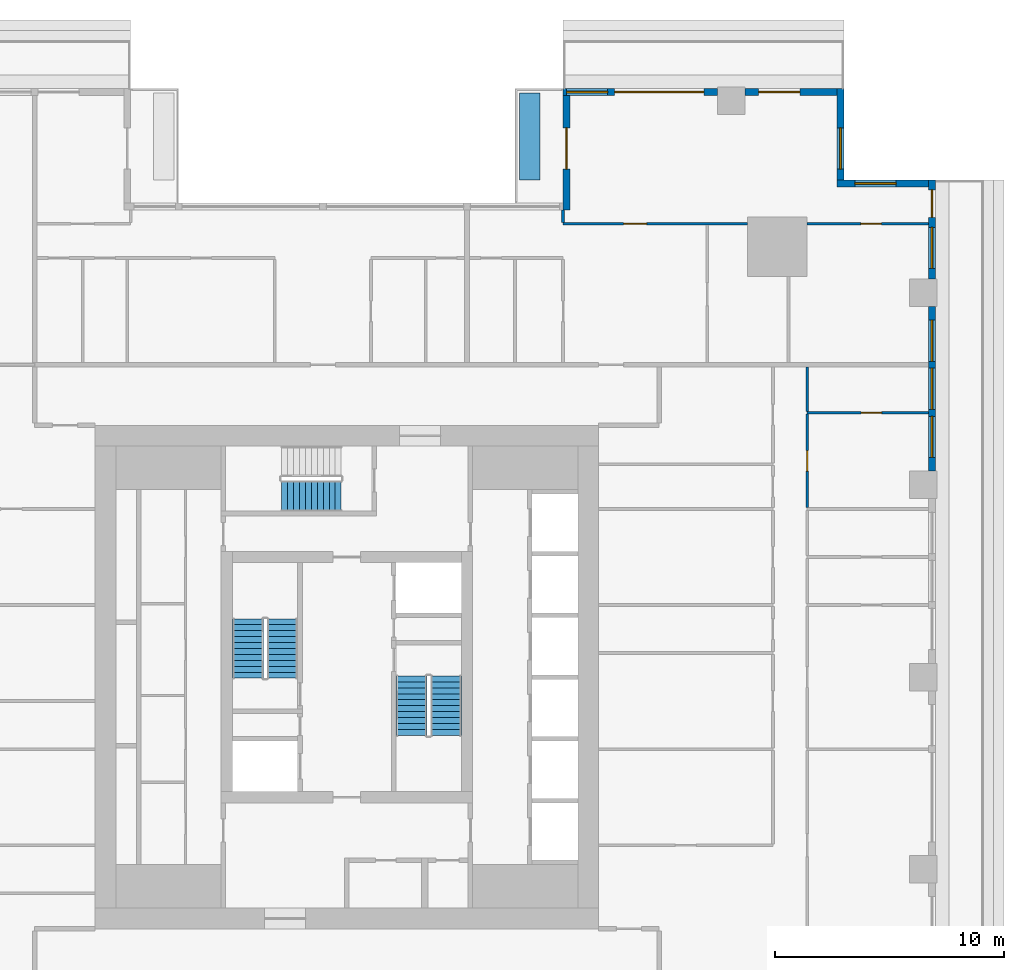
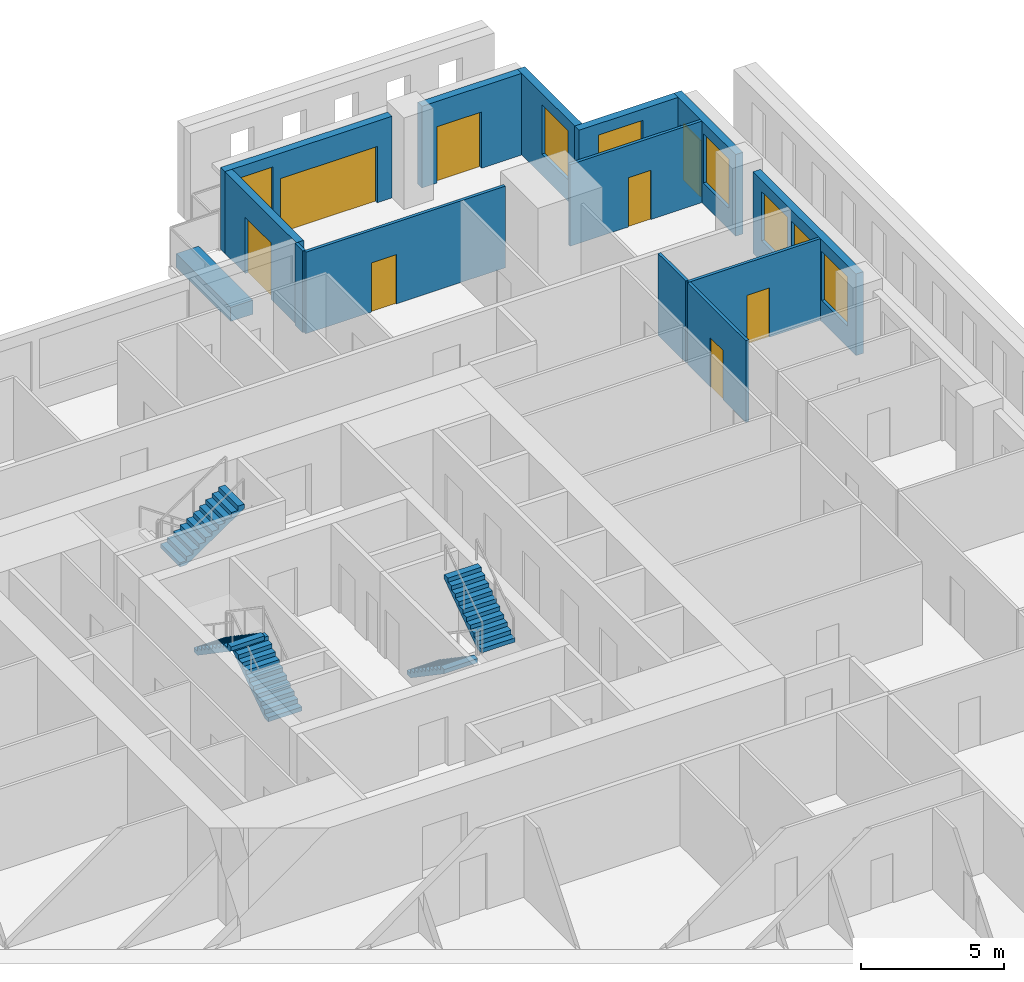
# One storey, part 9 of 16: 14 walls, 8 doors, 7 windows, 5 stair flights, 15 openings, 3 elements without a shape of their own.
"""IFC4 building model written with IfcOpenShell, lengths in metres."""

from ifc_helpers import new_model, si_unit, direction, frame, frame_2d, origin, place, context, subcontext, project, spatial, polyline, rectangle, outline, extrude, material, layer, layer_set, type_object, element, fill, aggregate, save


model = new_model("IFC4")

# Units and contexts
model_context = context("Model", 3, precision=1e-05, world=origin(), true_north=direction((0.0, 1.0)))
body_context = subcontext(model_context, "Body", "Model", "MODEL_VIEW")
ifc_project = project(units=[si_unit("LENGTHUNIT", "METRE"), si_unit("AREAUNIT", "SQUARE_METRE"), si_unit("VOLUMEUNIT", "CUBIC_METRE"), si_unit("PLANEANGLEUNIT", "RADIAN"), si_unit("MASSUNIT", "GRAM", prefix="KILO")], contexts=[model_context])

# Site, building, storey
site_placement = place(None, origin())
site = spatial("IfcSite", under=ifc_project, at=site_placement, CompositionType="ELEMENT")
building_placement = place(site_placement, origin())
building = spatial("IfcBuilding", under=site, at=building_placement, Name="Khepri Terraces", CompositionType="ELEMENT")
storey_placement = place(building_placement, frame((0.0, 0.0, 157.199951171875)))
storey = spatial("IfcBuildingStorey", under=building, at=storey_placement, Name="L37", CompositionType="ELEMENT", Elevation=157.199951171875)

# Wall, openings, windows
ifc_material_1 = material(Name="Precast concrete C50/60 warm stone", Category="masonry")
ifc_layer_1 = layer(ifc_material_1, 0.300048828125, Name="Precast concrete C50/60 warm stone", Category="masonry")
ifc_layer_set_1 = layer_set([ifc_layer_1], Name="Precast concrete C50/60 warm stone")
wall_type_1 = type_object("IfcWallType", Name="WL-EXT-PRECAST-300", PredefinedType="STANDARD", material=ifc_layer_set_1)
wall_1_placement = place(storey_placement, frame((25.570068359375, 9.0, 0.0), z_axis=(0.0, 0.0, 1.0), x_axis=(0.0, 1.0, 0.0)))
wall_1 = element("IfcWall", 1, at=wall_1_placement, inside=storey, type_object=wall_type_1, Name="External wall L37 E", PredefinedType="STANDARD", context=body_context, shape_type="SweptSolid", body=[
    extrude(rectangle(XDim=7.199951171875, YDim=0.300048828125, at=frame_2d((3.60009765625, 0.0))), origin(), (0.0, 0.0, 1.0), 3.47998046875),
])
opening_1_placement = place(wall_1_placement, frame((0.60009765625, 0.0, 0.89990234375)))
opening_1 = element("IfcOpeningElement", 2, at=opening_1_placement, cuts=wall_1, Name="Opening W1", PredefinedType="OPENING", context=body_context, shape_type="SweptSolid", body=[
    extrude(rectangle(XDim=1.800048828125, YDim=2.10009765625, at=frame_2d((0.89990234375, 1.050048828125))), frame((0.0, 0.16015625, 0.0), z_axis=(0.0, -1.0, 0.0), x_axis=(1.0, 0.0, 0.0)), (0.0, 0.0, 1.0), 0.320068359375),
])
opening_2_placement = place(wall_1_placement, frame((2.699951171875, 0.0, 0.89990234375)))
opening_2 = element("IfcOpeningElement", 3, at=opening_2_placement, cuts=wall_1, Name="Opening W1", PredefinedType="OPENING", context=body_context, shape_type="SweptSolid", body=[
    extrude(rectangle(XDim=1.800048828125, YDim=2.10009765625, at=frame_2d((0.89990234375, 1.050048828125))), frame((0.0, 0.16015625, 0.0), z_axis=(0.0, -1.0, 0.0), x_axis=(1.0, 0.0, 0.0)), (0.0, 0.0, 1.0), 0.320068359375),
])
opening_3_placement = place(wall_1_placement, frame((4.800048828125, 0.0, 0.89990234375)))
opening_3 = element("IfcOpeningElement", 4, at=opening_3_placement, cuts=wall_1, Name="Opening W1", PredefinedType="OPENING", context=body_context, shape_type="SweptSolid", body=[
    extrude(rectangle(XDim=1.800048828125, YDim=2.10009765625, at=frame_2d((0.89990234375, 1.050048828125))), frame((0.0, 0.16015625, 0.0), z_axis=(0.0, -1.0, 0.0), x_axis=(1.0, 0.0, 0.0)), (0.0, 0.0, 1.0), 0.320068359375),
])
ifc_material_2 = material(Name="Clear glass", Category="glass")
window_type = type_object("IfcWindowType", Name="WIN-RES-1800x2100", PartitioningType="SINGLE_PANEL", PredefinedType="WINDOW", material=ifc_material_2)
window_1_placement = place(opening_1_placement, origin())
window_1 = element("IfcWindow", 5, at=window_1_placement, inside=storey, type_object=window_type, Name="Window L37 E", OverallHeight=2.10009765625, OverallWidth=1.800048828125, PartitioningType="SINGLE_PANEL", PredefinedType="WINDOW", context=body_context, shape_type="SweptSolid", body=[
    extrude(rectangle(XDim=1.800048828125, YDim=2.10009765625, at=frame_2d((0.89990234375, 1.050048828125))), frame((0.0, 0.030029296875, 0.0), z_axis=(0.0, -1.0, 0.0), x_axis=(1.0, 0.0, 0.0)), (0.0, 0.0, 1.0), 0.06005859375),
])
fill(opening_1, window_1)
window_2_placement = place(opening_2_placement, origin())
window_2 = element("IfcWindow", 6, at=window_2_placement, inside=storey, type_object=window_type, Name="Window L37 E", OverallHeight=2.10009765625, OverallWidth=1.800048828125, PartitioningType="SINGLE_PANEL", PredefinedType="WINDOW", context=body_context, shape_type="SweptSolid", body=[
    extrude(rectangle(XDim=1.800048828125, YDim=2.10009765625, at=frame_2d((0.89990234375, 1.050048828125))), frame((0.0, 0.030029296875, 0.0), z_axis=(0.0, -1.0, 0.0), x_axis=(1.0, 0.0, 0.0)), (0.0, 0.0, 1.0), 0.06005859375),
])
fill(opening_2, window_2)
window_3_placement = place(opening_3_placement, origin())
window_3 = element("IfcWindow", 7, at=window_3_placement, inside=storey, type_object=window_type, Name="Window L37 E", OverallHeight=2.10009765625, OverallWidth=1.800048828125, PartitioningType="SINGLE_PANEL", PredefinedType="WINDOW", context=body_context, shape_type="SweptSolid", body=[
    extrude(rectangle(XDim=1.800048828125, YDim=2.10009765625, at=frame_2d((0.89990234375, 1.050048828125))), frame((0.0, 0.030029296875, 0.0), z_axis=(0.0, -1.0, 0.0), x_axis=(1.0, 0.0, 0.0)), (0.0, 0.0, 1.0), 0.06005859375),
])
fill(opening_3, window_3)

# Wall, openings, door, window
wall_2_placement = place(storey_placement, frame((25.570068359375, 17.39990234375, 0.0), z_axis=(0.0, 0.0, 1.0), x_axis=(0.0, 1.0, 0.0)))
wall_2 = element("IfcWall", 8, at=wall_2_placement, inside=storey, type_object=wall_type_1, Name="External wall L37 E", PredefinedType="STANDARD", context=body_context, shape_type="SweptSolid", body=[
    extrude(rectangle(XDim=4.320068359375, YDim=0.300048828125, at=frame_2d((2.16015625, 0.0))), origin(), (0.0, 0.0, 1.0), 3.47998046875),
])
opening_4_placement = place(wall_2_placement, frame((2.695068359375, 0.0, 0.0)))
opening_4 = element("IfcOpeningElement", 9, at=opening_4_placement, cuts=wall_2, Name="Opening ED-L37-07", PredefinedType="OPENING", context=body_context, shape_type="SweptSolid", body=[
    extrude(rectangle(XDim=1.199951171875, YDim=2.39990234375, at=frame_2d((0.60009765625, 1.199951171875))), frame((0.0, 0.16015625, 0.0), z_axis=(0.0, -1.0, 0.0), x_axis=(1.0, 0.0, 0.0)), (0.0, 0.0, 1.0), 0.320068359375),
])
opening_5_placement = place(wall_2_placement, frame((0.4599609375, 0.0, 0.89990234375)))
opening_5 = element("IfcOpeningElement", 10, at=opening_5_placement, cuts=wall_2, Name="Opening W1", PredefinedType="OPENING", context=body_context, shape_type="SweptSolid", body=[
    extrude(rectangle(XDim=1.800048828125, YDim=2.10009765625, at=frame_2d((0.89990234375, 1.050048828125))), frame((0.0, 0.16015625, 0.0), z_axis=(0.0, -1.0, 0.0), x_axis=(1.0, 0.0, 0.0)), (0.0, 0.0, 1.0), 0.320068359375),
])
ifc_material_3 = material(Name="Anodised aluminium bronze glazed door", Category="aluminium")
door_type_1 = type_object("IfcDoorType", Name="DR-BAL-SLIDE-1200x2400", OperationType="NOTDEFINED", PredefinedType="DOOR", material=ifc_material_3)
door_1_placement = place(opening_4_placement, origin())
door_1 = element("IfcDoor", 11, at=door_1_placement, inside=storey, type_object=door_type_1, Name="Balcony door L37 E", OperationType="SLIDING_TO_LEFT", OverallHeight=2.39990234375, OverallWidth=1.199951171875, PredefinedType="DOOR", context=body_context, shape_type="SweptSolid", body=[
    extrude(rectangle(XDim=1.199951171875, YDim=2.39990234375, at=frame_2d((0.60009765625, 1.199951171875))), frame((0.0, 0.02490234375, 0.0), z_axis=(0.0, -1.0, 0.0), x_axis=(1.0, 0.0, 0.0)), (0.0, 0.0, 1.0), 0.050048828125),
])
fill(opening_4, door_1)
window_4_placement = place(opening_5_placement, origin())
window_4 = element("IfcWindow", 12, at=window_4_placement, inside=storey, type_object=window_type, Name="Window L37 E", OverallHeight=2.10009765625, OverallWidth=1.800048828125, PartitioningType="SINGLE_PANEL", PredefinedType="WINDOW", context=body_context, shape_type="SweptSolid", body=[
    extrude(rectangle(XDim=1.800048828125, YDim=2.10009765625, at=frame_2d((0.89990234375, 1.050048828125))), frame((0.0, 0.030029296875, 0.0), z_axis=(0.0, -1.0, 0.0), x_axis=(1.0, 0.0, 0.0)), (0.0, 0.0, 1.0), 0.06005859375),
])
fill(opening_5, window_4)

# Wall, opening, window
wall_3_placement = place(storey_placement, frame((25.419921875, 21.570068359375, 0.0), z_axis=(0.0, 0.0, 1.0), x_axis=(-1.0, 0.0, 0.0)))
wall_3 = element("IfcWall", 13, at=wall_3_placement, inside=storey, type_object=wall_type_1, Name="External wall L37 N", PredefinedType="STANDARD", context=body_context, shape_type="SweptSolid", body=[
    extrude(rectangle(XDim=4.0, YDim=0.300048828125, at=frame_2d((2.0, 0.0))), origin(), (0.0, 0.0, 1.0), 3.47998046875),
])
opening_6_placement = place(wall_3_placement, frame((1.419921875, 0.0, 0.89990234375)))
opening_6 = element("IfcOpeningElement", 14, at=opening_6_placement, cuts=wall_3, Name="Opening W1", PredefinedType="OPENING", context=body_context, shape_type="SweptSolid", body=[
    extrude(rectangle(XDim=1.800048828125, YDim=2.10009765625, at=frame_2d((0.89990234375, 1.050048828125))), frame((0.0, 0.16015625, 0.0), z_axis=(0.0, -1.0, 0.0), x_axis=(1.0, 0.0, 0.0)), (0.0, 0.0, 1.0), 0.320068359375),
])
window_5_placement = place(opening_6_placement, origin())
window_5 = element("IfcWindow", 15, at=window_5_placement, inside=storey, type_object=window_type, Name="Window L37 N", OverallHeight=2.10009765625, OverallWidth=1.800048828125, PartitioningType="SINGLE_PANEL", PredefinedType="WINDOW", context=body_context, shape_type="SweptSolid", body=[
    extrude(rectangle(XDim=1.800048828125, YDim=2.10009765625, at=frame_2d((0.89990234375, 1.050048828125))), frame((0.0, 0.030029296875, 0.0), z_axis=(0.0, -1.0, 0.0), x_axis=(1.0, 0.0, 0.0)), (0.0, 0.0, 1.0), 0.06005859375),
])
fill(opening_6, window_5)

wall_4_placement = place(storey_placement, frame((21.570068359375, 21.719970703125, 0.0), z_axis=(0.0, 0.0, 1.0), x_axis=(0.0, 1.0, 0.0)))
wall_4 = element("IfcWall", 16, at=wall_4_placement, inside=storey, type_object=wall_type_1, Name="External wall L37 E", PredefinedType="STANDARD", context=body_context, shape_type="SweptSolid", body=[
    extrude(rectangle(XDim=4.0, YDim=0.300048828125, at=frame_2d((2.0, 0.0))), origin(), (0.0, 0.0, 1.0), 3.47998046875),
])
opening_7_placement = place(wall_4_placement, frame((0.47998046875, 0.0, 0.89990234375)))
opening_7 = element("IfcOpeningElement", 17, at=opening_7_placement, cuts=wall_4, Name="Opening W1", PredefinedType="OPENING", context=body_context, shape_type="SweptSolid", body=[
    extrude(rectangle(XDim=1.800048828125, YDim=2.10009765625, at=frame_2d((0.89990234375, 1.050048828125))), frame((0.0, 0.16015625, 0.0), z_axis=(0.0, -1.0, 0.0), x_axis=(1.0, 0.0, 0.0)), (0.0, 0.0, 1.0), 0.320068359375),
])
window_6_placement = place(opening_7_placement, origin())
window_6 = element("IfcWindow", 18, at=window_6_placement, inside=storey, type_object=window_type, Name="Window L37 E", OverallHeight=2.10009765625, OverallWidth=1.800048828125, PartitioningType="SINGLE_PANEL", PredefinedType="WINDOW", context=body_context, shape_type="SweptSolid", body=[
    extrude(rectangle(XDim=1.800048828125, YDim=2.10009765625, at=frame_2d((0.89990234375, 1.050048828125))), frame((0.0, 0.030029296875, 0.0), z_axis=(0.0, -1.0, 0.0), x_axis=(1.0, 0.0, 0.0)), (0.0, 0.0, 1.0), 0.06005859375),
])
fill(opening_7, window_6)

# Wall, opening, door
wall_5_placement = place(storey_placement, frame((21.419921875, 25.570068359375, 0.0), z_axis=(0.0, 0.0, 1.0), x_axis=(-1.0, 0.0, 0.0)))
wall_5 = element("IfcWall", 19, at=wall_5_placement, inside=storey, type_object=wall_type_1, Name="External wall L37 N", PredefinedType="STANDARD", context=body_context, shape_type="SweptSolid", body=[
    extrude(rectangle(XDim=4.02001953125, YDim=0.300048828125, at=frame_2d((2.010009765625, 0.0))), origin(), (0.0, 0.0, 1.0), 3.47998046875),
])
opening_8_placement = place(wall_5_placement, frame((1.6201171875, 0.0, 0.0)))
opening_8 = element("IfcOpeningElement", 20, at=opening_8_placement, cuts=wall_5, Name="Opening ED-L37-08", PredefinedType="OPENING", context=body_context, shape_type="SweptSolid", body=[
    extrude(rectangle(XDim=1.800048828125, YDim=2.39990234375, at=frame_2d((0.89990234375, 1.199951171875))), frame((0.0, 0.16015625, 0.0), z_axis=(0.0, -1.0, 0.0), x_axis=(1.0, 0.0, 0.0)), (0.0, 0.0, 1.0), 0.320068359375),
])
door_type_2 = type_object("IfcDoorType", Name="DR-BAL-SLIDE-1800x2400", OperationType="NOTDEFINED", PredefinedType="DOOR", material=ifc_material_3)
door_2_placement = place(opening_8_placement, origin())
door_2 = element("IfcDoor", 21, at=door_2_placement, inside=storey, type_object=door_type_2, Name="Balcony door L37 N", OperationType="SLIDING_TO_RIGHT", OverallHeight=2.39990234375, OverallWidth=1.800048828125, PredefinedType="DOOR", context=body_context, shape_type="SweptSolid", body=[
    extrude(rectangle(XDim=1.800048828125, YDim=2.39990234375, at=frame_2d((0.89990234375, 1.199951171875))), frame((0.0, 0.02490234375, 0.0), z_axis=(0.0, -1.0, 0.0), x_axis=(1.0, 0.0, 0.0)), (0.0, 0.0, 1.0), 0.050048828125),
])
fill(opening_8, door_2)

# Wall, openings, door, window
wall_6_placement = place(storey_placement, frame((16.199951171875, 25.570068359375, 0.0), z_axis=(0.0, 0.0, 1.0), x_axis=(-1.0, 0.0, 0.0)))
wall_6 = element("IfcWall", 22, at=wall_6_placement, inside=storey, type_object=wall_type_1, Name="External wall L37 N", PredefinedType="STANDARD", context=body_context, shape_type="SweptSolid", body=[
    extrude(rectangle(XDim=6.75, YDim=0.300048828125, at=frame_2d((3.375, 0.0))), origin(), (0.0, 0.0, 1.0), 3.47998046875),
])
opening_9_placement = place(wall_6_placement, frame((0.60009765625, 0.0, 0.0)))
opening_9 = element("IfcOpeningElement", 23, at=opening_9_placement, cuts=wall_6, Name="Opening ED-L37-09", PredefinedType="OPENING", context=body_context, shape_type="SweptSolid", body=[
    extrude(rectangle(XDim=3.89990234375, YDim=2.39990234375, at=frame_2d((1.949951171875, 1.199951171875))), frame((0.0, 0.16015625, 0.0), z_axis=(0.0, -1.0, 0.0), x_axis=(1.0, 0.0, 0.0)), (0.0, 0.0, 1.0), 0.320068359375),
])
opening_10_placement = place(wall_6_placement, frame((4.800048828125, 0.0, 0.89990234375)))
opening_10 = element("IfcOpeningElement", 24, at=opening_10_placement, cuts=wall_6, Name="Opening W1", PredefinedType="OPENING", context=body_context, shape_type="SweptSolid", body=[
    extrude(rectangle(XDim=1.800048828125, YDim=2.10009765625, at=frame_2d((0.89990234375, 1.050048828125))), frame((0.0, 0.16015625, 0.0), z_axis=(0.0, -1.0, 0.0), x_axis=(1.0, 0.0, 0.0)), (0.0, 0.0, 1.0), 0.320068359375),
])
door_type_3 = type_object("IfcDoorType", Name="DR-BAL-SLIDE-3900x2400", OperationType="NOTDEFINED", PredefinedType="DOOR", material=ifc_material_3)
door_3_placement = place(opening_9_placement, origin())
door_3 = element("IfcDoor", 25, at=door_3_placement, inside=storey, type_object=door_type_3, Name="Balcony door L37 N", OperationType="SLIDING_TO_LEFT", OverallHeight=2.39990234375, OverallWidth=3.89990234375, PredefinedType="DOOR", context=body_context, shape_type="SweptSolid", body=[
    extrude(rectangle(XDim=3.89990234375, YDim=2.39990234375, at=frame_2d((1.949951171875, 1.199951171875))), frame((0.0, 0.02490234375, 0.0), z_axis=(0.0, -1.0, 0.0), x_axis=(1.0, 0.0, 0.0)), (0.0, 0.0, 1.0), 0.050048828125),
])
fill(opening_9, door_3)
window_7_placement = place(opening_10_placement, origin())
window_7 = element("IfcWindow", 26, at=window_7_placement, inside=storey, type_object=window_type, Name="Window L37 N", OverallHeight=2.10009765625, OverallWidth=1.800048828125, PartitioningType="SINGLE_PANEL", PredefinedType="WINDOW", context=body_context, shape_type="SweptSolid", body=[
    extrude(rectangle(XDim=1.800048828125, YDim=2.10009765625, at=frame_2d((0.89990234375, 1.050048828125))), frame((0.0, 0.030029296875, 0.0), z_axis=(0.0, -1.0, 0.0), x_axis=(1.0, 0.0, 0.0)), (0.0, 0.0, 1.0), 0.06005859375),
])
fill(opening_10, window_7)

# Wall, opening, door
wall_7_placement = place(storey_placement, frame((9.60009765625, 25.419921875, 0.0), z_axis=(0.0, 0.0, 1.0), x_axis=(0.0, -1.0, 0.0)))
wall_7 = element("IfcWall", 27, at=wall_7_placement, inside=storey, type_object=wall_type_1, Name="External wall L37 W", PredefinedType="STANDARD", context=body_context, shape_type="SweptSolid", body=[
    extrude(rectangle(XDim=5.0, YDim=0.300048828125, at=frame_2d((2.5, 0.0))), origin(), (0.0, 0.0, 1.0), 3.47998046875),
])
opening_11_placement = place(wall_7_placement, frame((1.419921875, 0.0, 0.0)))
opening_11 = element("IfcOpeningElement", 28, at=opening_11_placement, cuts=wall_7, Name="Opening ED-L37-10", PredefinedType="OPENING", context=body_context, shape_type="SweptSolid", body=[
    extrude(rectangle(XDim=1.800048828125, YDim=2.39990234375, at=frame_2d((0.89990234375, 1.199951171875))), frame((0.0, 0.16015625, 0.0), z_axis=(0.0, -1.0, 0.0), x_axis=(1.0, 0.0, 0.0)), (0.0, 0.0, 1.0), 0.320068359375),
])
door_4_placement = place(opening_11_placement, origin())
door_4 = element("IfcDoor", 29, at=door_4_placement, inside=storey, type_object=door_type_2, Name="Balcony door L37 W", OperationType="SLIDING_TO_LEFT", OverallHeight=2.39990234375, OverallWidth=1.800048828125, PredefinedType="DOOR", context=body_context, shape_type="SweptSolid", body=[
    extrude(rectangle(XDim=1.800048828125, YDim=2.39990234375, at=frame_2d((0.89990234375, 1.199951171875))), frame((0.0, 0.02490234375, 0.0), z_axis=(0.0, -1.0, 0.0), x_axis=(1.0, 0.0, 0.0)), (0.0, 0.0, 1.0), 0.050048828125),
])
fill(opening_11, door_4)

ifc_material_4 = material(Name="Gypsum plasterboard partition")
ifc_layer_2 = layer(ifc_material_4, 0.1201171875, Name="Gypsum plasterboard partition")
ifc_layer_set_2 = layer_set([ifc_layer_2], Name="Gypsum plasterboard partition")
wall_type_2 = type_object("IfcWallType", Name="WL-PART-120", PredefinedType="PARTITIONING", material=ifc_layer_set_2)
wall_8_placement = place(storey_placement, frame((20.1201171875, 7.409912109375, 0.0), z_axis=(0.0, 0.0, 1.0), x_axis=(0.0, 1.0, 0.0)))
wall_8 = element("IfcWall", 30, at=wall_8_placement, inside=storey, type_object=wall_type_2, Name="Partition P-072 L37", PredefinedType="PARTITIONING", context=body_context, shape_type="SweptSolid", body=[
    extrude(rectangle(XDim=4.080078125, YDim=0.1201171875, at=frame_2d((2.0400390625, 0.0))), origin(), (0.0, 0.0, 1.0), 3.47998046875),
])
opening_12_placement = place(wall_8_placement, frame((1.590087890625, 0.0, 0.0)))
opening_12 = element("IfcOpeningElement", 31, at=opening_12_placement, cuts=wall_8, Name="Opening D3", PredefinedType="OPENING", context=body_context, shape_type="SweptSolid", body=[
    extrude(rectangle(XDim=0.89990234375, YDim=2.10009765625, at=frame_2d((0.449951171875, 1.050048828125))), frame((0.0, 0.070068359375, 0.0), z_axis=(0.0, -1.0, 0.0), x_axis=(1.0, 0.0, 0.0)), (0.0, 0.0, 1.0), 0.14013671875),
])
ifc_material_5 = material(Name="Timber door leaf", Category="wood")
door_type_4 = type_object("IfcDoorType", Name="DR-INT-900", OperationType="NOTDEFINED", PredefinedType="DOOR", material=ifc_material_5)
door_5_placement = place(opening_12_placement, frame((0.89990234375, 0.0, 0.0), z_axis=(0.0, 0.0, 1.0), x_axis=(-1.0, 0.0, 0.0)))
door_5 = element("IfcDoor", 32, at=door_5_placement, inside=storey, type_object=door_type_4, Name="Door Bedroom", OperationType="SINGLE_SWING_RIGHT", OverallHeight=2.10009765625, OverallWidth=0.89990234375, PredefinedType="DOOR", context=body_context, shape_type="SweptSolid", body=[
    extrude(rectangle(XDim=0.89990234375, YDim=2.10009765625, at=frame_2d((0.449951171875, 1.050048828125))), frame((0.0, 0.02490234375, 0.0), z_axis=(0.0, -1.0, 0.0), x_axis=(1.0, 0.0, 0.0)), (0.0, 0.0, 1.0), 0.050048828125),
])
fill(opening_12, door_5)

wall_9_placement = place(storey_placement, frame((20.1201171875, 11.550048828125, 0.0), z_axis=(0.0, 0.0, 1.0), x_axis=(1.0, 0.0, 0.0)))
wall_9 = element("IfcWall", 33, at=wall_9_placement, inside=storey, type_object=wall_type_2, Name="Partition P-080 L37", PredefinedType="PARTITIONING", context=body_context, shape_type="SweptSolid", body=[
    extrude(rectangle(XDim=5.2998046875, YDim=0.1201171875, at=frame_2d((2.64990234375, 0.0))), origin(), (0.0, 0.0, 1.0), 3.47998046875),
])
opening_13_placement = place(wall_9_placement, frame((2.35009765625, 0.0, 0.0)))
opening_13 = element("IfcOpeningElement", 34, at=opening_13_placement, cuts=wall_9, Name="Opening D4", PredefinedType="OPENING", context=body_context, shape_type="SweptSolid", body=[
    extrude(rectangle(XDim=0.89990234375, YDim=2.10009765625, at=frame_2d((0.449951171875, 1.050048828125))), frame((0.0, 0.070068359375, 0.0), z_axis=(0.0, -1.0, 0.0), x_axis=(1.0, 0.0, 0.0)), (0.0, 0.0, 1.0), 0.14013671875),
])
ifc_material_6 = material(Name="Timber door leaf, moisture resistant", Category="wood")
door_type_5 = type_object("IfcDoorType", Name="DR-WET-900", OperationType="NOTDEFINED", PredefinedType="DOOR", material=ifc_material_6)
door_6_placement = place(opening_13_placement, origin())
door_6 = element("IfcDoor", 35, at=door_6_placement, inside=storey, type_object=door_type_5, Name="Door Bathroom", OperationType="SINGLE_SWING_RIGHT", OverallHeight=2.10009765625, OverallWidth=0.89990234375, PredefinedType="DOOR", context=body_context, shape_type="SweptSolid", body=[
    extrude(rectangle(XDim=0.89990234375, YDim=2.10009765625, at=frame_2d((0.449951171875, 1.050048828125))), frame((0.0, 0.02490234375, 0.0), z_axis=(0.0, -1.0, 0.0), x_axis=(1.0, 0.0, 0.0)), (0.0, 0.0, 1.0), 0.050048828125),
])
fill(opening_13, door_6)

# Wall
wall_10_placement = place(storey_placement, frame((20.1201171875, 11.610107421875, 0.0), z_axis=(0.0, 0.0, 1.0), x_axis=(0.0, 1.0, 0.0)))
element("IfcWall", 36, at=wall_10_placement, inside=storey, type_object=wall_type_2, Name="Partition P-082 L37", PredefinedType="PARTITIONING", context=body_context, shape_type="SweptSolid", body=[
    extrude(rectangle(XDim=1.93994140625, YDim=0.1201171875, at=frame_2d((0.969970703125, 0.0))), origin(), (0.0, 0.0, 1.0), 3.47998046875),
])

# Wall, opening, door
wall_11_placement = place(storey_placement, frame((9.449951171875, 19.820068359375, 0.0), z_axis=(0.0, 0.0, 1.0), x_axis=(1.0, 0.0, 0.0)))
wall_11 = element("IfcWall", 37, at=wall_11_placement, inside=storey, type_object=wall_type_2, Name="Partition P-101 L37", PredefinedType="PARTITIONING", context=body_context, shape_type="SweptSolid", body=[
    extrude(rectangle(XDim=8.050048828125, YDim=0.1201171875, at=frame_2d((4.02490234375, 0.0))), origin(), (0.0, 0.0, 1.0), 3.47998046875),
])
opening_14_placement = place(wall_11_placement, frame((2.64990234375, 0.0, 0.0)))
opening_14 = element("IfcOpeningElement", 38, at=opening_14_placement, cuts=wall_11, Name="Opening D2", PredefinedType="OPENING", context=body_context, shape_type="SweptSolid", body=[
    extrude(rectangle(XDim=1.0, YDim=2.10009765625, at=frame_2d((0.5, 1.050048828125))), frame((0.0, 0.070068359375, 0.0), z_axis=(0.0, -1.0, 0.0), x_axis=(1.0, 0.0, 0.0)), (0.0, 0.0, 1.0), 0.14013671875),
])
ifc_material_7 = material(Name="Timber door leaf, living room door", Category="wood")
door_type_6 = type_object("IfcDoorType", Name="DR-INT-1000", OperationType="NOTDEFINED", PredefinedType="DOOR", material=ifc_material_7)
door_7_placement = place(opening_14_placement, origin())
door_7 = element("IfcDoor", 39, at=door_7_placement, inside=storey, type_object=door_type_6, Name="Door Living Room", OperationType="SINGLE_SWING_LEFT", OverallHeight=2.10009765625, OverallWidth=1.0, PredefinedType="DOOR", context=body_context, shape_type="SweptSolid", body=[
    extrude(rectangle(XDim=1.0, YDim=2.10009765625, at=frame_2d((0.5, 1.050048828125))), frame((0.0, 0.02490234375, 0.0), z_axis=(0.0, -1.0, 0.0), x_axis=(1.0, 0.0, 0.0)), (0.0, 0.0, 1.0), 0.050048828125),
])
fill(opening_14, door_7)

wall_12_placement = place(storey_placement, frame((20.10009765625, 19.820068359375, 0.0), z_axis=(0.0, 0.0, 1.0), x_axis=(1.0, 0.0, 0.0)))
wall_12 = element("IfcWall", 40, at=wall_12_placement, inside=storey, type_object=wall_type_2, Name="Partition P-102 L37", PredefinedType="PARTITIONING", context=body_context, shape_type="SweptSolid", body=[
    extrude(rectangle(XDim=5.31982421875, YDim=0.1201171875, at=frame_2d((2.659912109375, 0.0))), origin(), (0.0, 0.0, 1.0), 3.47998046875),
])
opening_15_placement = place(wall_12_placement, frame((2.360107421875, 0.0, 0.0)))
opening_15 = element("IfcOpeningElement", 41, at=opening_15_placement, cuts=wall_12, Name="Opening D3", PredefinedType="OPENING", context=body_context, shape_type="SweptSolid", body=[
    extrude(rectangle(XDim=0.89990234375, YDim=2.10009765625, at=frame_2d((0.449951171875, 1.050048828125))), frame((0.0, 0.070068359375, 0.0), z_axis=(0.0, -1.0, 0.0), x_axis=(1.0, 0.0, 0.0)), (0.0, 0.0, 1.0), 0.14013671875),
])
door_8_placement = place(opening_15_placement, frame((0.89990234375, 0.0, 0.0), z_axis=(0.0, 0.0, 1.0), x_axis=(-1.0, 0.0, 0.0)))
door_8 = element("IfcDoor", 42, at=door_8_placement, inside=storey, type_object=door_type_4, Name="Door Staff Bedroom", OperationType="SINGLE_SWING_LEFT", OverallHeight=2.10009765625, OverallWidth=0.89990234375, PredefinedType="DOOR", context=body_context, shape_type="SweptSolid", body=[
    extrude(rectangle(XDim=0.89990234375, YDim=2.10009765625, at=frame_2d((0.449951171875, 1.050048828125))), frame((0.0, 0.02490234375, 0.0), z_axis=(0.0, -1.0, 0.0), x_axis=(1.0, 0.0, 0.0)), (0.0, 0.0, 1.0), 0.050048828125),
])
fill(opening_15, door_8)

# Walls
wall_13_placement = place(storey_placement, frame((9.449951171875, 19.8798828125, 0.0), z_axis=(0.0, 0.0, 1.0), x_axis=(0.0, 1.0, 0.0)))
element("IfcWall", 43, at=wall_13_placement, inside=storey, type_object=wall_type_2, Name="Partition P-104 L37", PredefinedType="PARTITIONING", context=body_context, shape_type="SweptSolid", body=[
    extrude(rectangle(XDim=0.5400390625, YDim=0.1201171875, at=frame_2d((0.27001953125, 0.0))), origin(), (0.0, 0.0, 1.0), 3.47998046875),
])
ifc_layer_3 = layer(ifc_material_1, 0.89990234375, Name="Precast concrete C50/60 warm stone", Category="masonry")
ifc_layer_set_3 = layer_set([ifc_layer_3], Name="Precast concrete C50/60 warm stone")
wall_type_3 = type_object("IfcWallType", Name="WL-PLANTER-900", PredefinedType="MOVABLE", material=ifc_layer_set_3)
wall_14_placement = place(storey_placement, frame((8.0, 21.719970703125, 0.0), z_axis=(0.0, 0.0, 1.0), x_axis=(0.0, 1.0, 0.0)))
element("IfcWall", 44, at=wall_14_placement, inside=storey, type_object=wall_type_3, Name="Planter L37", PredefinedType="MOVABLE", context=body_context, shape_type="SweptSolid", body=[
    extrude(rectangle(XDim=3.800048828125, YDim=0.89990234375, at=frame_2d((1.89990234375, 0.0))), origin(), (0.0, 0.0, 1.0), 0.60009765625),
])

# Stair, stair flights
ifc_material_8 = material(Name="Concrete C40/50", Category="concrete")
stair_type = type_object("IfcStairType", Name="STAIR-RC-22R", PredefinedType="HALF_TURN_STAIR", material=ifc_material_8)
stair_1_placement = place(storey_placement, origin())
stair_1 = element("IfcStair", 45, at=stair_1_placement, inside=storey, type_object=stair_type, Name="L37 Exit Stair ST-1", PredefinedType="HALF_TURN_STAIR")
stair_flight_type = type_object("IfcStairFlightType", Name="SFL-RC-177.3", PredefinedType="STRAIGHT", material=ifc_material_8)
stair_flight_1_placement = place(storey_placement, frame((-2.824951171875, -0.050048828125, 0.0), z_axis=(0.0, 0.0, 1.0), x_axis=(0.0, 1.0, 0.0)))
stair_flight_1 = element("IfcStairFlight", 46, at=stair_flight_1_placement, type_object=stair_flight_type, Name="ST-1 flight 1", NumberOfRisers=11, NumberOfTreads=10, PredefinedType="STRAIGHT", RiserHeight=0.177272727, TreadLength=0.26, context=body_context, shape_type="SweptSolid", body=[
    extrude(outline(polyline([(0.0, 0.0), (0.0, 0.17724609375), (0.260009765625, 0.17724609375), (0.260009765625, 0.3544921875), (0.52001953125, 0.3544921875), (0.52001953125, 0.53173828125), (0.780029296875, 0.53173828125), (0.780029296875, 0.708984375), (1.0400390625, 0.708984375), (1.0400390625, 0.886474609375), (1.300048828125, 0.886474609375), (1.300048828125, 1.063720703125), (1.56005859375, 1.063720703125), (1.56005859375, 1.240966796875), (1.820068359375, 1.240966796875), (1.820068359375, 1.418212890625), (2.080078125, 1.418212890625), (2.080078125, 1.595458984375), (2.340087890625, 1.595458984375), (2.340087890625, 1.772705078125), (2.60009765625, 1.772705078125), (2.60009765625, 1.949951171875), (2.60009765625, 1.59130859375), (0.26611328125, 0.0), (0.0, 0.0)])), frame((0.0, 0.675048828125, 0.0), z_axis=(0.0, -1.0, 0.0), x_axis=(1.0, 0.0, 0.0)), (0.0, 0.0, 1.0), 1.35009765625),
])
stair_flight_2_placement = place(storey_placement, frame((-4.324951171875, 2.550048828125, 1.949951171875), z_axis=(0.0, 0.0, 1.0), x_axis=(0.0, -1.0, 0.0)))
stair_flight_2 = element("IfcStairFlight", 47, at=stair_flight_2_placement, type_object=stair_flight_type, Name="ST-1 flight 2", NumberOfRisers=11, NumberOfTreads=10, PredefinedType="STRAIGHT", RiserHeight=0.177272727, TreadLength=0.26, context=body_context, shape_type="SweptSolid", body=[
    extrude(outline(polyline([(0.0, 0.0), (0.0, 0.17724609375), (0.260009765625, 0.17724609375), (0.260009765625, 0.3544921875), (0.52001953125, 0.3544921875), (0.52001953125, 0.53173828125), (0.780029296875, 0.53173828125), (0.780029296875, 0.708984375), (1.0400390625, 0.708984375), (1.0400390625, 0.886474609375), (1.300048828125, 0.886474609375), (1.300048828125, 1.063720703125), (1.56005859375, 1.063720703125), (1.56005859375, 1.240966796875), (1.820068359375, 1.240966796875), (1.820068359375, 1.418212890625), (2.080078125, 1.418212890625), (2.080078125, 1.595458984375), (2.340087890625, 1.595458984375), (2.340087890625, 1.772705078125), (2.60009765625, 1.772705078125), (2.60009765625, 1.949951171875), (2.60009765625, 1.59130859375), (0.26611328125, 0.0), (0.0, 0.0)])), frame((0.0, 0.675048828125, 0.0), z_axis=(0.0, -1.0, 0.0), x_axis=(1.0, 0.0, 0.0)), (0.0, 0.0, 1.0), 1.35009765625),
])
aggregate(stair_1, [stair_flight_1, stair_flight_2])

stair_2_placement = place(storey_placement, origin())
stair_2 = element("IfcStair", 48, at=stair_2_placement, inside=storey, type_object=stair_type, Name="L37 Exit Stair ST-2", PredefinedType="HALF_TURN_STAIR")
stair_flight_3_placement = place(storey_placement, frame((2.824951171875, 0.050048828125, 0.0), z_axis=(0.0, 0.0, 1.0), x_axis=(0.0, -1.0, 0.0)))
stair_flight_3 = element("IfcStairFlight", 49, at=stair_flight_3_placement, type_object=stair_flight_type, Name="ST-2 flight 1", NumberOfRisers=11, NumberOfTreads=10, PredefinedType="STRAIGHT", RiserHeight=0.177272727, TreadLength=0.26, context=body_context, shape_type="SweptSolid", body=[
    extrude(outline(polyline([(0.0, 0.0), (0.0, 0.17724609375), (0.260009765625, 0.17724609375), (0.260009765625, 0.3544921875), (0.52001953125, 0.3544921875), (0.52001953125, 0.53173828125), (0.780029296875, 0.53173828125), (0.780029296875, 0.708984375), (1.0400390625, 0.708984375), (1.0400390625, 0.886474609375), (1.300048828125, 0.886474609375), (1.300048828125, 1.063720703125), (1.56005859375, 1.063720703125), (1.56005859375, 1.240966796875), (1.820068359375, 1.240966796875), (1.820068359375, 1.418212890625), (2.080078125, 1.418212890625), (2.080078125, 1.595458984375), (2.340087890625, 1.595458984375), (2.340087890625, 1.772705078125), (2.60009765625, 1.772705078125), (2.60009765625, 1.949951171875), (2.60009765625, 1.59130859375), (0.26611328125, 0.0), (0.0, 0.0)])), frame((0.0, 0.675048828125, 0.0), z_axis=(0.0, -1.0, 0.0), x_axis=(1.0, 0.0, 0.0)), (0.0, 0.0, 1.0), 1.35009765625),
])
stair_flight_4_placement = place(storey_placement, frame((4.324951171875, -2.550048828125, 1.949951171875), z_axis=(0.0, 0.0, 1.0), x_axis=(0.0, 1.0, 0.0)))
stair_flight_4 = element("IfcStairFlight", 50, at=stair_flight_4_placement, type_object=stair_flight_type, Name="ST-2 flight 2", NumberOfRisers=11, NumberOfTreads=10, PredefinedType="STRAIGHT", RiserHeight=0.177272727, TreadLength=0.26, context=body_context, shape_type="SweptSolid", body=[
    extrude(outline(polyline([(0.0, 0.0), (0.0, 0.17724609375), (0.260009765625, 0.17724609375), (0.260009765625, 0.3544921875), (0.52001953125, 0.3544921875), (0.52001953125, 0.53173828125), (0.780029296875, 0.53173828125), (0.780029296875, 0.708984375), (1.0400390625, 0.708984375), (1.0400390625, 0.886474609375), (1.300048828125, 0.886474609375), (1.300048828125, 1.063720703125), (1.56005859375, 1.063720703125), (1.56005859375, 1.240966796875), (1.820068359375, 1.240966796875), (1.820068359375, 1.418212890625), (2.080078125, 1.418212890625), (2.080078125, 1.595458984375), (2.340087890625, 1.595458984375), (2.340087890625, 1.772705078125), (2.60009765625, 1.772705078125), (2.60009765625, 1.949951171875), (2.60009765625, 1.59130859375), (0.26611328125, 0.0), (0.0, 0.0)])), frame((0.0, 0.675048828125, 0.0), z_axis=(0.0, -1.0, 0.0), x_axis=(1.0, 0.0, 0.0)), (0.0, 0.0, 1.0), 1.35009765625),
])
aggregate(stair_2, [stair_flight_3, stair_flight_4])

# Stair, stair flight
stair_3_placement = place(storey_placement, origin())
stair_3 = element("IfcStair", 51, at=stair_3_placement, inside=storey, type_object=stair_type, Name="L37 Exit Stair ST-3", PredefinedType="HALF_TURN_STAIR")
stair_flight_5_placement = place(storey_placement, frame((-2.85009765625, 7.925048828125, 1.949951171875), z_axis=(0.0, 0.0, 1.0), x_axis=(1.0, 0.0, 0.0)))
stair_flight_5 = element("IfcStairFlight", 52, at=stair_flight_5_placement, type_object=stair_flight_type, Name="ST-3 flight 2", NumberOfRisers=11, NumberOfTreads=10, PredefinedType="STRAIGHT", RiserHeight=0.177272727, TreadLength=0.26, context=body_context, shape_type="SweptSolid", body=[
    extrude(outline(polyline([(0.0, 0.0), (0.0, 0.17724609375), (0.260009765625, 0.17724609375), (0.260009765625, 0.3544921875), (0.52001953125, 0.3544921875), (0.52001953125, 0.53173828125), (0.780029296875, 0.53173828125), (0.780029296875, 0.708984375), (1.0400390625, 0.708984375), (1.0400390625, 0.886474609375), (1.300048828125, 0.886474609375), (1.300048828125, 1.063720703125), (1.56005859375, 1.063720703125), (1.56005859375, 1.240966796875), (1.820068359375, 1.240966796875), (1.820068359375, 1.418212890625), (2.080078125, 1.418212890625), (2.080078125, 1.595458984375), (2.340087890625, 1.595458984375), (2.340087890625, 1.772705078125), (2.60009765625, 1.772705078125), (2.60009765625, 1.949951171875), (2.60009765625, 1.59130859375), (0.26611328125, 0.0), (0.0, 0.0)])), frame((0.0, 0.675048828125, 0.0), z_axis=(0.0, -1.0, 0.0), x_axis=(1.0, 0.0, 0.0)), (0.0, 0.0, 1.0), 1.35009765625),
])
aggregate(stair_3, [stair_flight_5])

save(model, "model.ifc")
